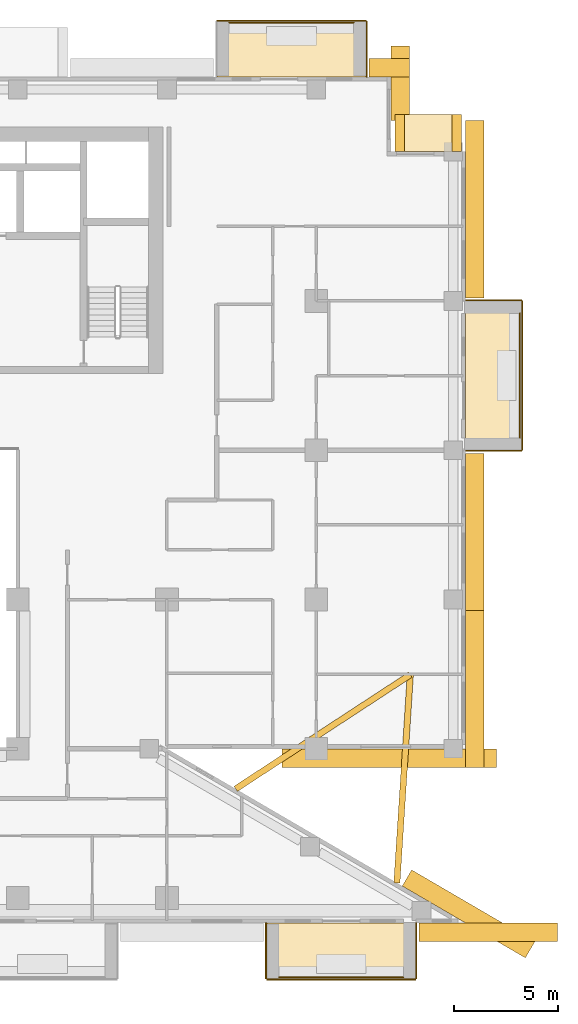
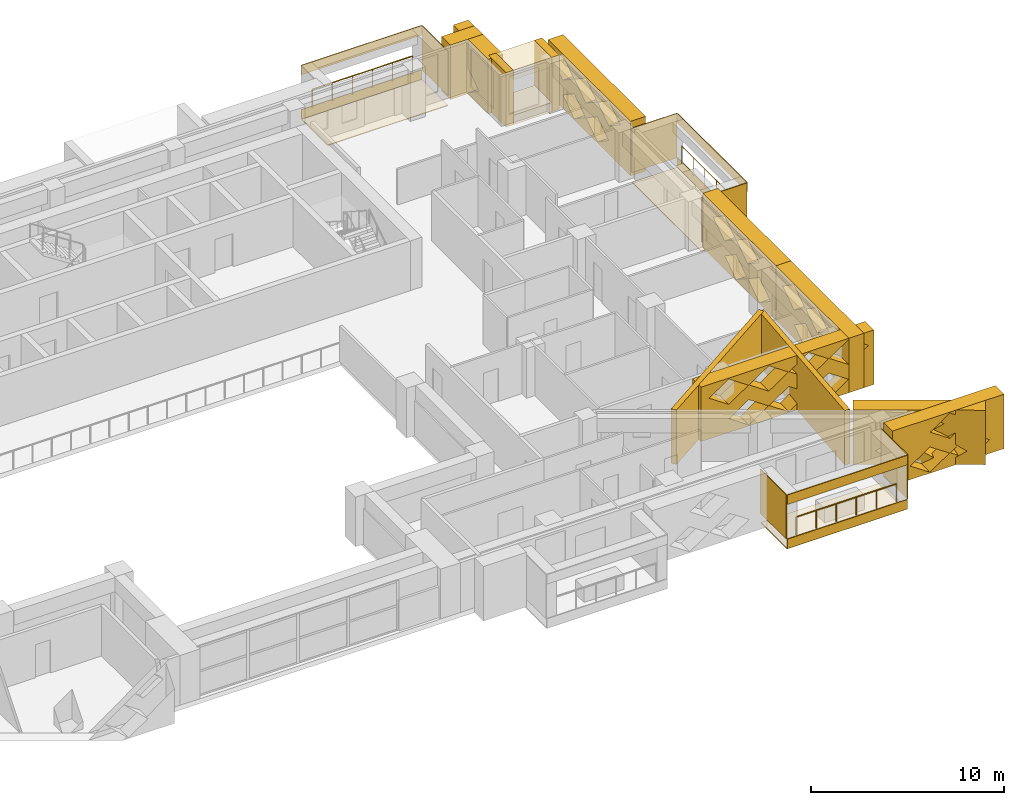
# One storey, part 19 of 19: 28 coverings, 3 railings.
"""IFC4 building model written with IfcOpenShell, lengths in metres."""

from ifc_helpers import new_model, si_unit, direction, frame, origin, origin_2d, place, context, subcontext, project, spatial, polyline, circle, outline, extrude, material, layer, layer_set, type_object, element, save


model = new_model("IFC4")

# Units and contexts
model_context = context("Model", 3, precision=1e-05, world=origin(), true_north=direction((0.0, 1.0)))
body_context = subcontext(model_context, "Body", "Model", "MODEL_VIEW")
ifc_project = project(units=[si_unit("LENGTHUNIT", "METRE"), si_unit("AREAUNIT", "SQUARE_METRE"), si_unit("VOLUMEUNIT", "CUBIC_METRE"), si_unit("PLANEANGLEUNIT", "RADIAN"), si_unit("MASSUNIT", "GRAM", prefix="KILO")], contexts=[model_context])

# Site, building, storey
site_placement = place(None, origin())
site = spatial("IfcSite", under=ifc_project, at=site_placement, CompositionType="ELEMENT")
building_placement = place(site_placement, origin())
building = spatial("IfcBuilding", under=site, at=building_placement, Name="Saffron Iwan Residences", CompositionType="ELEMENT")
storey_placement = place(building_placement, frame((0.0, 0.0, 134.0)))
storey = spatial("IfcBuildingStorey", under=building, at=storey_placement, Name="L35", CompositionType="ELEMENT", Elevation=134.0)

# Railings
ifc_material_1 = material(Name="Stainless steel 316", Category="steel")
railing_type = type_object("IfcRailingType", Name="BALCONY GUARD 1150", PredefinedType="GUARDRAIL", material=ifc_material_1)
railing_1_placement = place(storey_placement, frame((89.02490234375, 63.0, 0.0)))
element("IfcRailing", 1, at=railing_1_placement, inside=storey, type_object=railing_type, Name="Balcony guard L35 F2-0", PredefinedType="GUARDRAIL", context=body_context, shape_type="SweptSolid", body=[
    extrude(circle(Radius=0.02392578125, at=origin_2d()), frame((0.0, 0.0, 1.1259765625), z_axis=(0.0, 1.0, 0.0), x_axis=(-1.0, 0.0, 0.0)), (0.0, 0.0, 1.0), 6.0),
    extrude(circle(Radius=0.02099609375, at=origin_2d()), origin(), (0.0, 0.0, 1.0), 1.101806640625),
    extrude(circle(Radius=0.02099609375, at=origin_2d()), frame((0.0, 1.199951171875, 0.0)), (0.0, 0.0, 1.0), 1.101806640625),
    extrude(circle(Radius=0.02099609375, at=origin_2d()), frame((0.0, 2.39990234375, 0.0)), (0.0, 0.0, 1.0), 1.101806640625),
    extrude(circle(Radius=0.02099609375, at=origin_2d()), frame((0.0, 3.60009765625, 0.0)), (0.0, 0.0, 1.0), 1.101806640625),
    extrude(circle(Radius=0.02099609375, at=origin_2d()), frame((0.0, 4.800048828125, 0.0)), (0.0, 0.0, 1.0), 1.101806640625),
    extrude(circle(Radius=0.02099609375, at=origin_2d()), frame((0.0, 6.0, 0.0)), (0.0, 0.0, 1.0), 1.101806640625),
])
railing_2_placement = place(storey_placement, frame((81.0, 83.02490234375, 0.0)))
element("IfcRailing", 2, at=railing_2_placement, inside=storey, type_object=railing_type, Name="Balcony guard L35 F5-0", PredefinedType="GUARDRAIL", context=body_context, shape_type="SweptSolid", body=[
    extrude(circle(Radius=0.02392578125, at=origin_2d()), frame((0.0, 0.0, 1.1259765625), z_axis=(-1.0, 0.0, 0.0), x_axis=(0.0, -1.0, 0.0)), (0.0, 0.0, 1.0), 6.0),
    extrude(circle(Radius=0.02099609375, at=origin_2d()), origin(), (0.0, 0.0, 1.0), 1.101806640625),
    extrude(circle(Radius=0.02099609375, at=origin_2d()), frame((-1.199951171875, 0.0, 0.0)), (0.0, 0.0, 1.0), 1.101806640625),
    extrude(circle(Radius=0.02099609375, at=origin_2d()), frame((-2.39990234375, 0.0, 0.0)), (0.0, 0.0, 1.0), 1.101806640625),
    extrude(circle(Radius=0.02099609375, at=origin_2d()), frame((-3.60009765625, 0.0, 0.0)), (0.0, 0.0, 1.0), 1.101806640625),
    extrude(circle(Radius=0.02099609375, at=origin_2d()), frame((-4.800048828125, 0.0, 0.0)), (0.0, 0.0, 1.0), 1.101806640625),
    extrude(circle(Radius=0.02099609375, at=origin_2d()), frame((-6.0, 0.0, 0.0)), (0.0, 0.0, 1.0), 1.101806640625),
])
railing_3_placement = place(storey_placement, frame((77.39990234375, 36.97509765625, 0.0)))
element("IfcRailing", 3, at=railing_3_placement, inside=storey, type_object=railing_type, Name="Balcony guard L35 11-3", PredefinedType="GUARDRAIL", context=body_context, shape_type="SweptSolid", body=[
    extrude(circle(Radius=0.02392578125, at=origin_2d()), frame((0.0, 0.0, 1.1259765625), z_axis=(1.0, 0.0, 0.0), x_axis=(0.0, 1.0, 0.0)), (0.0, 0.0, 1.0), 6.0),
    extrude(circle(Radius=0.02099609375, at=origin_2d()), origin(), (0.0, 0.0, 1.0), 1.101806640625),
    extrude(circle(Radius=0.02099609375, at=origin_2d()), frame((1.199951171875, 0.0, 0.0)), (0.0, 0.0, 1.0), 1.101806640625),
    extrude(circle(Radius=0.02099609375, at=origin_2d()), frame((2.39990234375, 0.0, 0.0)), (0.0, 0.0, 1.0), 1.101806640625),
    extrude(circle(Radius=0.02099609375, at=origin_2d()), frame((3.60009765625, 0.0, 0.0)), (0.0, 0.0, 1.0), 1.101806640625),
    extrude(circle(Radius=0.02099609375, at=origin_2d()), frame((4.800048828125, 0.0, 0.0)), (0.0, 0.0, 1.0), 1.101806640625),
    extrude(circle(Radius=0.02099609375, at=origin_2d()), frame((6.0, 0.0, 0.0)), (0.0, 0.0, 1.0), 1.101806640625),
])

# Coverings
ifc_material_2 = material(Name="Precast concrete C40/50 white painted", Category="concrete")
ifc_layer_1 = layer(ifc_material_2, 0.050048828125)
ifc_layer_set_1 = layer_set([ifc_layer_1], Name="Precast concrete C40/50 white painted")
covering_type_1 = type_object("IfcCoveringType", Name="FRAME SKIN PRECAST WHITE 50", PredefinedType="CLADDING", material=ifc_layer_set_1)
for number, where, name in (
    (4, (0.0, 0.0, -0.60009765625), "Frame skin slab edge L35 F2-0"),
    (5, (0.0, 0.0, 2.199951171875), "Frame skin fascia L35 F2-0"),
):
    element("IfcCovering", number, at=place(storey_placement, frame(where)), inside=storey, type_object=covering_type_1, Name=name, PredefinedType="CLADDING", context=body_context, shape_type="SweptSolid", body=[
        extrude(outline(polyline([(89.14990234375, 62.39990234375), (89.14990234375, 69.60009765625), (89.10009765625, 69.60009765625), (89.10009765625, 62.39990234375), (89.14990234375, 62.39990234375)])), origin(), (0.0, 0.0, 1.0), 0.60009765625),
    ])
covering_1_placement = place(storey_placement, frame((0.0, 0.0, -0.64990234375)))
element("IfcCovering", 6, at=covering_1_placement, inside=storey, type_object=covering_type_1, Name="Frame skin soffit L35 F2-0", PredefinedType="CLADDING", context=body_context, shape_type="SweptSolid", body=[
    extrude(outline(polyline([(89.10009765625, 62.39990234375), (89.10009765625, 69.60009765625), (86.39990234375, 69.60009765625), (86.39990234375, 62.39990234375), (89.10009765625, 62.39990234375)])), origin(), (0.0, 0.0, 1.0), 0.0498046875),
])
covering_2_placement = place(storey_placement, origin())
element("IfcCovering", 7, at=covering_2_placement, inside=storey, type_object=covering_type_1, Name="Frame skin fin L35 F2-0a", PredefinedType="CLADDING", context=body_context, shape_type="SweptSolid", body=[
    extrude(outline(polyline([(89.10009765625, 62.35009765625), (89.10009765625, 62.39990234375), (86.39990234375, 62.39990234375), (86.39990234375, 62.35009765625), (89.10009765625, 62.35009765625)])), origin(), (0.0, 0.0, 1.0), 2.800048828125),
])
covering_3_placement = place(storey_placement, origin())
element("IfcCovering", 8, at=covering_3_placement, inside=storey, type_object=covering_type_1, Name="Frame skin fin L35 F2-0b", PredefinedType="CLADDING", context=body_context, shape_type="SweptSolid", body=[
    extrude(outline(polyline([(89.10009765625, 69.60009765625), (89.10009765625, 69.64990234375), (86.39990234375, 69.64990234375), (86.39990234375, 69.60009765625), (89.10009765625, 69.60009765625)])), origin(), (0.0, 0.0, 1.0), 2.800048828125),
])
for number, where, name in (
    (9, (0.0, 0.0, -0.60009765625), "Frame skin slab edge L35 F5-0"),
    (10, (0.0, 0.0, 2.199951171875), "Frame skin fascia L35 F5-0"),
):
    element("IfcCovering", number, at=place(storey_placement, frame(where)), inside=storey, type_object=covering_type_1, Name=name, PredefinedType="CLADDING", context=body_context, shape_type="SweptSolid", body=[
        extrude(outline(polyline([(81.60009765625, 83.14990234375), (74.39990234375, 83.14990234375), (74.39990234375, 83.10009765625), (81.60009765625, 83.10009765625), (81.60009765625, 83.14990234375)])), origin(), (0.0, 0.0, 1.0), 0.60009765625),
    ])
covering_4_placement = place(storey_placement, frame((0.0, 0.0, -0.64990234375)))
element("IfcCovering", 11, at=covering_4_placement, inside=storey, type_object=covering_type_1, Name="Frame skin soffit L35 F5-0", PredefinedType="CLADDING", context=body_context, shape_type="SweptSolid", body=[
    extrude(outline(polyline([(81.60009765625, 83.10009765625), (74.39990234375, 83.10009765625), (74.39990234375, 80.39990234375), (81.60009765625, 80.39990234375), (81.60009765625, 83.10009765625)])), origin(), (0.0, 0.0, 1.0), 0.0498046875),
])
covering_5_placement = place(storey_placement, origin())
element("IfcCovering", 12, at=covering_5_placement, inside=storey, type_object=covering_type_1, Name="Frame skin fin L35 F5-0a", PredefinedType="CLADDING", context=body_context, shape_type="SweptSolid", body=[
    extrude(outline(polyline([(81.64990234375, 83.10009765625), (81.60009765625, 83.10009765625), (81.60009765625, 80.39990234375), (81.64990234375, 80.39990234375), (81.64990234375, 83.10009765625)])), origin(), (0.0, 0.0, 1.0), 2.800048828125),
])
for number, where, name in (
    (13, (0.0, 0.0, -0.60009765625), "Frame skin slab edge L35 11-3"),
    (14, (0.0, 0.0, 2.199951171875), "Frame skin fascia L35 11-3"),
):
    element("IfcCovering", number, at=place(storey_placement, frame(where)), inside=storey, type_object=covering_type_1, Name=name, PredefinedType="CLADDING", context=body_context, shape_type="SweptSolid", body=[
        extrude(outline(polyline([(76.800048828125, 36.85009765625), (84.0, 36.85009765625), (84.0, 36.89990234375), (76.800048828125, 36.89990234375), (76.800048828125, 36.85009765625)])), origin(), (0.0, 0.0, 1.0), 0.60009765625),
    ])
covering_6_placement = place(storey_placement, frame((0.0, 0.0, -0.64990234375)))
element("IfcCovering", 15, at=covering_6_placement, inside=storey, type_object=covering_type_1, Name="Frame skin soffit L35 11-3", PredefinedType="CLADDING", context=body_context, shape_type="SweptSolid", body=[
    extrude(outline(polyline([(76.800048828125, 36.89990234375), (84.0, 36.89990234375), (84.0, 39.60009765625), (76.800048828125, 39.60009765625), (76.800048828125, 36.89990234375)])), origin(), (0.0, 0.0, 1.0), 0.0498046875),
])
covering_7_placement = place(storey_placement, origin())
element("IfcCovering", 16, at=covering_7_placement, inside=storey, type_object=covering_type_1, Name="Frame skin fin L35 11-3a", PredefinedType="CLADDING", context=body_context, shape_type="SweptSolid", body=[
    extrude(outline(polyline([(76.75, 36.89990234375), (76.800048828125, 36.89990234375), (76.800048828125, 39.60009765625), (76.75, 39.60009765625), (76.75, 36.89990234375)])), origin(), (0.0, 0.0, 1.0), 2.800048828125),
])
covering_8_placement = place(storey_placement, origin())
element("IfcCovering", 17, at=covering_8_placement, inside=storey, type_object=covering_type_1, Name="Frame skin fin L35 11-3b", PredefinedType="CLADDING", context=body_context, shape_type="SweptSolid", body=[
    extrude(outline(polyline([(84.0, 36.89990234375), (84.050048828125, 36.89990234375), (84.050048828125, 39.60009765625), (84.0, 39.60009765625), (84.0, 36.89990234375)])), origin(), (0.0, 0.0, 1.0), 2.800048828125),
])
ifc_material_3 = material(Name="Precast concrete C40/50", Category="concrete")
covering_type_2 = type_object("IfcCoveringType", Name="OUTER SKIN LATTICE SCREEN", PredefinedType="CLADDING", material=ifc_material_3)
covering_9_placement = place(storey_placement, frame((89.283935546875, 37.917724609375, -0.300048828125), z_axis=(0.503803550485, 0.863818257806, 0.0), x_axis=(-0.863818257806, 0.503803550485, 0.0)))
element("IfcCovering", 18, at=covering_9_placement, inside=storey, type_object=covering_type_2, Name="OUTER SKIN lattice screen L35 F0.0", PredefinedType="CLADDING", context=body_context, shape_type="SweptSolid", body=[
    extrude(outline(polyline([(0.0, 0.0), (6.874267578125, 0.0), (6.874267578125, 3.449951171875), (0.0, 3.449951171875), (0.0, 0.0)]), holes=[polyline([(0.958740234375, 0.862548828125), (2.138671875, 0.06005859375), (3.318603515625, 0.862548828125), (2.138671875, 1.6650390625), (0.958740234375, 0.862548828125)]), polyline([(3.358642578125, 0.862548828125), (4.538818359375, 0.06005859375), (5.71875, 0.862548828125), (4.538818359375, 1.6650390625), (3.358642578125, 0.862548828125)]), polyline([(2.15869140625, 2.58740234375), (3.338623046875, 1.784912109375), (4.518798828125, 2.58740234375), (3.338623046875, 3.389892578125), (2.15869140625, 2.58740234375)])]), origin(), (0.0, 0.0, 1.0), 0.89990234375),
])
covering_10_placement = place(storey_placement, frame((77.538818359375, 48.0, -0.300048828125), z_axis=(0.0, -1.0, 0.0), x_axis=(1.0, 0.0, 0.0)))
element("IfcCovering", 19, at=covering_10_placement, inside=storey, type_object=covering_type_2, Name="OUTER SKIN lattice screen L35 F1.0", PredefinedType="CLADDING", context=body_context, shape_type="SweptSolid", body=[
    extrude(outline(polyline([(0.0, 0.0), (10.361328125, 0.0), (10.361328125, 3.449951171875), (0.0, 3.449951171875), (0.0, 0.0)]), holes=[polyline([(1.681396484375, 0.862548828125), (2.861328125, 0.06005859375), (4.041259765625, 0.862548828125), (2.861328125, 1.6650390625), (1.681396484375, 0.862548828125)]), polyline([(4.081298828125, 0.862548828125), (5.26123046875, 0.06005859375), (6.44140625, 0.862548828125), (5.26123046875, 1.6650390625), (4.081298828125, 0.862548828125)]), polyline([(6.481201171875, 0.862548828125), (7.661376953125, 0.06005859375), (8.84130859375, 0.862548828125), (7.661376953125, 1.6650390625), (6.481201171875, 0.862548828125)]), polyline([(0.481201171875, 2.58740234375), (1.661376953125, 1.784912109375), (2.84130859375, 2.58740234375), (1.661376953125, 3.389892578125), (0.481201171875, 2.58740234375)]), polyline([(2.88134765625, 2.58740234375), (4.061279296875, 1.784912109375), (5.2412109375, 2.58740234375), (4.061279296875, 3.389892578125), (2.88134765625, 2.58740234375)]), polyline([(5.28125, 2.58740234375), (6.461181640625, 1.784912109375), (7.641357421875, 2.58740234375), (6.461181640625, 3.389892578125), (5.28125, 2.58740234375)]), polyline([(7.681396484375, 2.58740234375), (8.861328125, 1.784912109375), (10.041259765625, 2.58740234375), (8.861328125, 3.389892578125), (7.681396484375, 2.58740234375)])]), origin(), (0.0, 0.0, 1.0), 0.89990234375),
])
covering_11_placement = place(storey_placement, frame((86.39990234375, 47.10009765625, -0.300048828125), z_axis=(1.0, 0.0, 0.0), x_axis=(0.0, 1.0, 0.0)))
element("IfcCovering", 20, at=covering_11_placement, inside=storey, type_object=covering_type_2, Name="OUTER SKIN lattice screen L35 F2.0", PredefinedType="CLADDING", context=body_context, shape_type="SweptSolid", body=[
    extrude(outline(polyline([(0.0, 0.0), (7.574951171875, 0.0), (7.574951171875, 3.449951171875), (0.0, 3.449951171875), (0.0, 0.0)]), holes=[polyline([(0.919921875, 0.862548828125), (2.10009765625, 0.06005859375), (3.280029296875, 0.862548828125), (2.10009765625, 1.6650390625), (0.919921875, 0.862548828125)]), polyline([(3.320068359375, 0.862548828125), (4.5, 0.06005859375), (5.679931640625, 0.862548828125), (4.5, 1.6650390625), (3.320068359375, 0.862548828125)]), polyline([(2.1201171875, 2.58740234375), (3.300048828125, 1.784912109375), (4.47998046875, 2.58740234375), (3.300048828125, 3.389892578125), (2.1201171875, 2.58740234375)]), polyline([(4.52001953125, 2.58740234375), (5.699951171875, 1.784912109375), (6.8798828125, 2.58740234375), (5.699951171875, 3.389892578125), (4.52001953125, 2.58740234375)])]), origin(), (0.0, 0.0, 1.0), 0.900146484375),
])
covering_12_placement = place(storey_placement, frame((86.39990234375, 54.675048828125, -0.300048828125), z_axis=(1.0, 0.0, 0.0), x_axis=(0.0, 1.0, 0.0)))
element("IfcCovering", 21, at=covering_12_placement, inside=storey, type_object=covering_type_2, Name="OUTER SKIN lattice screen L35 F2.1", PredefinedType="CLADDING", context=body_context, shape_type="SweptSolid", body=[
    extrude(outline(polyline([(0.0, 0.0), (7.574951171875, 0.0), (7.574951171875, 3.449951171875), (0.0, 3.449951171875), (0.0, 0.0)]), holes=[polyline([(0.544921875, 0.862548828125), (1.72509765625, 0.06005859375), (2.905029296875, 0.862548828125), (1.72509765625, 1.6650390625), (0.544921875, 0.862548828125)]), polyline([(2.945068359375, 0.862548828125), (4.125, 0.06005859375), (5.304931640625, 0.862548828125), (4.125, 1.6650390625), (2.945068359375, 0.862548828125)]), polyline([(1.7451171875, 2.58740234375), (2.925048828125, 1.784912109375), (4.10498046875, 2.58740234375), (2.925048828125, 3.389892578125), (1.7451171875, 2.58740234375)]), polyline([(4.14501953125, 2.58740234375), (5.324951171875, 1.784912109375), (6.5048828125, 2.58740234375), (5.324951171875, 3.389892578125), (4.14501953125, 2.58740234375)])]), origin(), (0.0, 0.0, 1.0), 0.900146484375),
])
covering_13_placement = place(storey_placement, frame((86.39990234375, 69.75, -0.300048828125), z_axis=(1.0, 0.0, 0.0), x_axis=(0.0, 1.0, 0.0)))
element("IfcCovering", 22, at=covering_13_placement, inside=storey, type_object=covering_type_2, Name="OUTER SKIN lattice screen L35 F2.2", PredefinedType="CLADDING", context=body_context, shape_type="SweptSolid", body=[
    extrude(outline(polyline([(0.0, 0.0), (8.550048828125, 0.0), (8.550048828125, 3.449951171875), (0.0, 3.449951171875), (0.0, 0.0)]), holes=[polyline([(2.27001953125, 0.862548828125), (3.449951171875, 0.06005859375), (4.6298828125, 0.862548828125), (3.449951171875, 1.6650390625), (2.27001953125, 0.862548828125)]), polyline([(4.669921875, 0.862548828125), (5.85009765625, 0.06005859375), (7.030029296875, 0.862548828125), (5.85009765625, 1.6650390625), (4.669921875, 0.862548828125)]), polyline([(1.070068359375, 2.58740234375), (2.25, 1.784912109375), (3.429931640625, 2.58740234375), (2.25, 3.389892578125), (1.070068359375, 2.58740234375)]), polyline([(3.469970703125, 2.58740234375), (4.64990234375, 1.784912109375), (5.830078125, 2.58740234375), (4.64990234375, 3.389892578125), (3.469970703125, 2.58740234375)]), polyline([(5.8701171875, 2.58740234375), (7.050048828125, 1.784912109375), (8.22998046875, 2.58740234375), (7.050048828125, 3.389892578125), (5.8701171875, 2.58740234375)])]), origin(), (0.0, 0.0, 1.0), 0.900146484375),
])
covering_14_placement = place(storey_placement, frame((82.800048828125, 78.300048828125, -0.300048828125), z_axis=(1.0, 0.0, 0.0), x_axis=(0.0, 1.0, 0.0)))
element("IfcCovering", 23, at=covering_14_placement, inside=storey, type_object=covering_type_2, Name="OUTER SKIN lattice screen L35 F4.0", PredefinedType="CLADDING", context=body_context, shape_type="SweptSolid", body=[
    extrude(outline(polyline([(0.0, 0.0), (3.60009765625, 0.0), (3.60009765625, 3.449951171875), (0.0, 3.449951171875), (0.0, 0.0)]), holes=[polyline([(0.919921875, 0.862548828125), (2.10009765625, 0.06005859375), (3.280029296875, 0.862548828125), (2.10009765625, 1.6650390625), (0.919921875, 0.862548828125)])]), origin(), (0.0, 0.0, 1.0), 0.89990234375),
])
covering_15_placement = place(storey_placement, frame((83.699951171875, 80.39990234375, -0.300048828125), z_axis=(0.0, 1.0, 0.0), x_axis=(-1.0, 0.0, 0.0)))
element("IfcCovering", 24, at=covering_15_placement, inside=storey, type_object=covering_type_2, Name="OUTER SKIN lattice screen L35 F5.0", PredefinedType="CLADDING", context=body_context, shape_type="SweptSolid", body=[
    extrude(outline(polyline([(0.0, 0.0), (1.949951171875, 0.0), (1.949951171875, 3.449951171875), (0.0, 3.449951171875), (0.0, 0.0)])), origin(), (0.0, 0.0, 1.0), 0.900146484375),
])
covering_16_placement = place(storey_placement, frame((84.14990234375, 39.60009765625, -0.300048828125), z_axis=(0.0, -1.0, 0.0), x_axis=(1.0, 0.0, 0.0)))
element("IfcCovering", 25, at=covering_16_placement, inside=storey, type_object=covering_type_2, Name="OUTER SKIN lattice screen L35 F11.5", PredefinedType="CLADDING", context=body_context, shape_type="SweptSolid", body=[
    extrude(outline(polyline([(0.0, 0.0), (6.688720703125, 0.0), (6.688720703125, 3.449951171875), (0.0, 3.449951171875), (0.0, 0.0)]), holes=[polyline([(1.070068359375, 0.862548828125), (2.25, 0.06005859375), (3.429931640625, 0.862548828125), (2.25, 1.6650390625), (1.070068359375, 0.862548828125)]), polyline([(3.469970703125, 0.862548828125), (4.64990234375, 0.06005859375), (5.830078125, 0.862548828125), (4.64990234375, 1.6650390625), (3.469970703125, 0.862548828125)]), polyline([(2.27001953125, 2.58740234375), (3.449951171875, 1.784912109375), (4.6298828125, 2.58740234375), (3.449951171875, 3.389892578125), (2.27001953125, 2.58740234375)])]), origin(), (0.0, 0.0, 1.0), 0.900146484375),
])
ifc_layer_2 = layer(ifc_material_2, 0.300048828125)
ifc_layer_set_2 = layer_set([ifc_layer_2], Name="Precast concrete C40/50 white painted")
covering_type_3 = type_object("IfcCoveringType", Name="PROW NOSE BLADE PRECAST WHITE", PredefinedType="CLADDING", material=ifc_layer_set_2)
covering_17_placement = place(storey_placement, frame((0.0, 0.0, -0.300048828125)))
element("IfcCovering", 26, at=covering_17_placement, inside=storey, type_object=covering_type_3, Name="Prow nose blade L35 a", PredefinedType="CLADDING", context=body_context, shape_type="SweptSolid", body=[
    extrude(outline(polyline([(83.23681640625, 41.52294921875), (83.884521484375, 51.564453125), (83.585205078125, 51.583740234375), (82.937255859375, 41.542236328125), (83.23681640625, 41.52294921875)])), origin(), (0.0, 0.0, 1.0), 3.449951171875),
])
covering_18_placement = place(storey_placement, frame((0.0, 0.0, -0.300048828125)))
element("IfcCovering", 27, at=covering_18_placement, inside=storey, type_object=covering_type_3, Name="Prow nose blade L35 b", PredefinedType="CLADDING", context=body_context, shape_type="SweptSolid", body=[
    extrude(outline(polyline([(75.39501953125, 45.94189453125), (83.81689453125, 51.448486328125), (83.65283203125, 51.69970703125), (75.23095703125, 46.193115234375), (75.39501953125, 45.94189453125)])), origin(), (0.0, 0.0, 1.0), 3.449951171875),
])
covering_type_4 = type_object("IfcCoveringType", Name="WHITE SUN FRAME PRECAST", PredefinedType="CLADDING", material=ifc_material_2)
for number, where, z_axis, x_axis, name in (
    (28, (86.199951171875, 76.800048828125, -0.300048828125), (0.0, 1.0, 0.0), (-1.0, 0.0, 0.0), "Sun frame L35 F3 0.2a"),
    (29, (83.449951171875, 76.800048828125, -0.300048828125), (0.0, 1.0, 0.0), (-1.0, 0.0, 0.0), "Sun frame L35 F3 0.2b"),
):
    element("IfcCovering", number, at=place(storey_placement, frame(where, z_axis=z_axis, x_axis=x_axis)), inside=storey, type_object=covering_type_4, Name=name, PredefinedType="CLADDING", context=body_context, shape_type="SweptSolid", body=[
        extrude(outline(polyline([(0.0, 0.0), (0.449951171875, 0.0), (0.449951171875, 3.449951171875), (0.0, 3.449951171875), (0.0, 0.0)])), origin(), (0.0, 0.0, 1.0), 1.800048828125),
    ])
for number, where, z_axis, x_axis, name in (
    (30, (85.75, 76.800048828125, 2.550048828125), (0.0, 1.0, 0.0), (-1.0, 0.0, 0.0), "Sun frame L35 F3 0.2h"),
    (31, (85.75, 76.800048828125, -0.300048828125), (0.0, 1.0, 0.0), (-1.0, 0.0, 0.0), "Sun frame L35 F3 0.2s"),
):
    element("IfcCovering", number, at=place(storey_placement, frame(where, z_axis=z_axis, x_axis=x_axis)), inside=storey, type_object=covering_type_4, Name=name, PredefinedType="CLADDING", context=body_context, shape_type="SweptSolid", body=[
        extrude(outline(polyline([(0.0, 0.0), (2.300048828125, 0.0), (2.300048828125, 0.60009765625), (0.0, 0.60009765625), (0.0, 0.0)])), origin(), (0.0, 0.0, 1.0), 1.800048828125),
    ])

save(model, "model.ifc")
